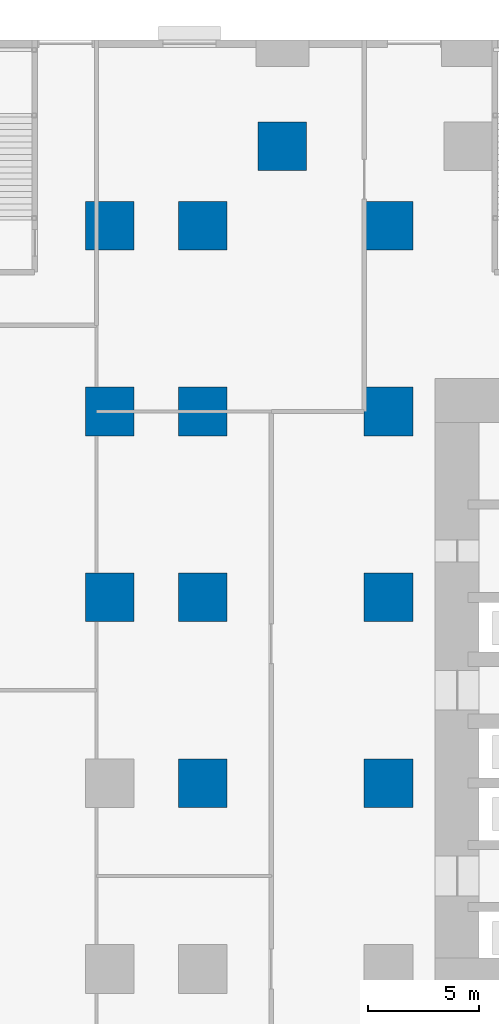
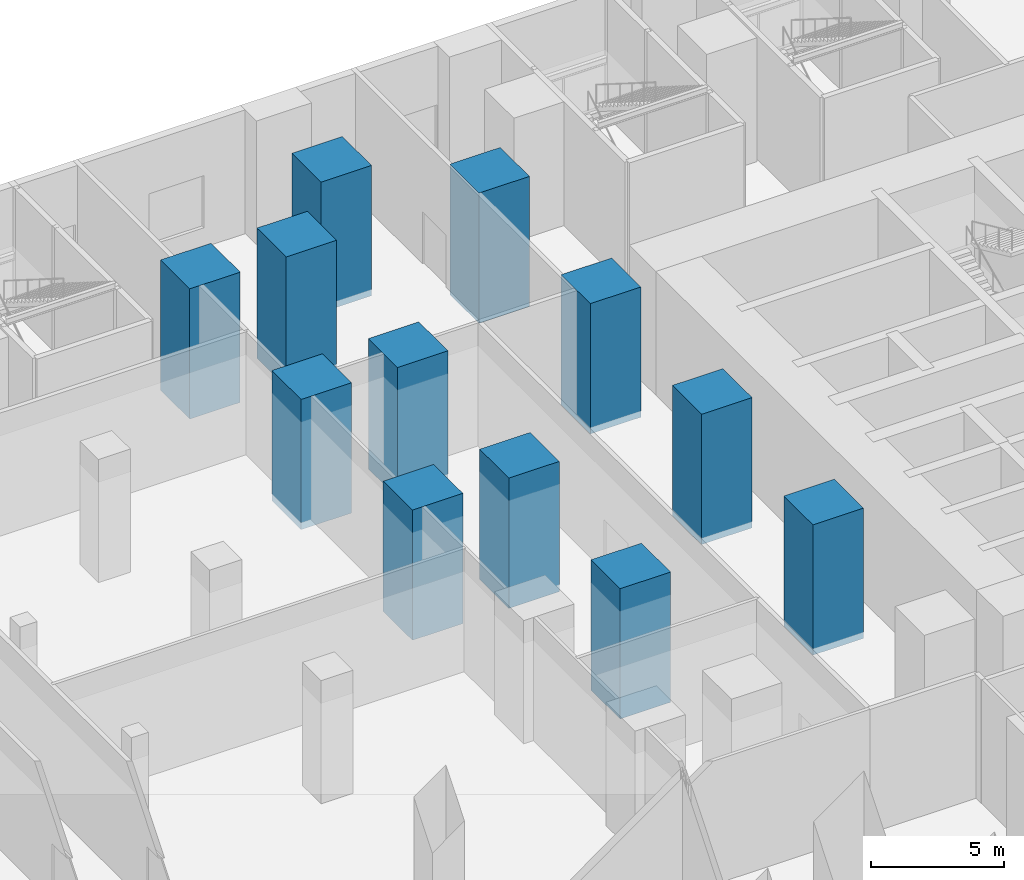
# One storey, part 7 of 26: 12 columns.
"""IFC4 building model written with IfcOpenShell, lengths in metres."""

from ifc_helpers import new_model, si_unit, direction, frame, origin, origin_2d, place, context, subcontext, project, spatial, rectangle, extrude, material, material_profile, profile_set, type_object, element, save


model = new_model("IFC4")

# Units and contexts
model_context = context("Model", 3, precision=1e-05, world=origin(), true_north=direction((0.0, 1.0)))
body_context = subcontext(model_context, "Body", "Model", "MODEL_VIEW")
ifc_project = project(units=[si_unit("LENGTHUNIT", "METRE"), si_unit("AREAUNIT", "SQUARE_METRE"), si_unit("VOLUMEUNIT", "CUBIC_METRE"), si_unit("PLANEANGLEUNIT", "RADIAN"), si_unit("MASSUNIT", "GRAM", prefix="KILO")], contexts=[model_context])

# Site, building, storey
site_placement = place(None, origin())
site = spatial("IfcSite", under=ifc_project, at=site_placement, CompositionType="ELEMENT")
building_placement = place(site_placement, origin())
building = spatial("IfcBuilding", under=site, at=building_placement, Name="Dunama Terrace Hotel", CompositionType="ELEMENT")
storey_placement = place(building_placement, origin())
storey = spatial("IfcBuildingStorey", under=building, at=storey_placement, Name="L00", CompositionType="ELEMENT", Elevation=0.0)

# Columns
ifc_material = material(Name="Concrete C60/75", Category="concrete")
ifc_material_profile = material_profile(ifc_material, rectangle(XDim=2.199951171875, YDim=2.199951171875, at=origin_2d()), Name="RC 2200x2200")
ifc_profile_set = profile_set([ifc_material_profile], Name="Concrete C60/75")
column_type = type_object("IfcColumnType", Name="Column RC 2200x2200", PredefinedType="COLUMN", material=ifc_profile_set)
for number, where, z_axis, x_axis, name in (
    (1, (0.60009765625, 33.60009765625, -0.300048828125), (0.0, 0.0, 1.0), (1.0, 0.0, 0.0), "Column L00 +0.6/+33.6"),
    (2, (0.60009765625, 42.0, -0.300048828125), (0.0, 0.0, 1.0), (1.0, 0.0, 0.0), "Column L00 +0.6/+42.0"),
    (3, (0.60009765625, 50.39990234375, -0.300048828125), (0.0, 0.0, 1.0), (1.0, 0.0, 0.0), "Column L00 +0.6/+50.4"),
    (4, (4.800048828125, 25.199951171875, -0.300048828125), (0.0, 0.0, 1.0), (1.0, 0.0, 0.0), "Column L00 +4.8/+25.2"),
    (5, (4.800048828125, 33.60009765625, -0.300048828125), (0.0, 0.0, 1.0), (1.0, 0.0, 0.0), "Column L00 +4.8/+33.6"),
    (6, (4.800048828125, 42.0, -0.300048828125), (0.0, 0.0, 1.0), (1.0, 0.0, 0.0), "Column L00 +4.8/+42.0"),
    (7, (4.800048828125, 50.39990234375, -0.300048828125), (0.0, 0.0, 1.0), (1.0, 0.0, 0.0), "Column L00 +4.8/+50.4"),
    (8, (8.39990234375, 54.0, -0.300048828125), (0.0, 0.0, 1.0), (1.0, 0.0, 0.0), "Column L00 +8.4/+54.0"),
    (9, (13.199951171875, 25.199951171875, -0.300048828125), (0.0, 0.0, 1.0), (1.0, 0.0, 0.0), "Column L00 +13.2/+25.2"),
    (10, (13.199951171875, 33.60009765625, -0.300048828125), (0.0, 0.0, 1.0), (1.0, 0.0, 0.0), "Column L00 +13.2/+33.6"),
    (11, (13.199951171875, 42.0, -0.300048828125), (0.0, 0.0, 1.0), (1.0, 0.0, 0.0), "Column L00 +13.2/+42.0"),
    (12, (13.199951171875, 50.39990234375, -0.300048828125), (0.0, 0.0, 1.0), (1.0, 0.0, 0.0), "Column L00 +13.2/+50.4"),
):
    element("IfcColumn", number, at=place(storey_placement, frame(where, z_axis=z_axis, x_axis=x_axis)), inside=storey, type_object=column_type, Name=name, PredefinedType="COLUMN", context=body_context, shape_type="SweptSolid", body=[
        extrude(rectangle(XDim=2.199951171875, YDim=2.199951171875, at=origin_2d()), origin(), (0.0, 0.0, 1.0), 6.0),
    ])

save(model, "model.ifc")
